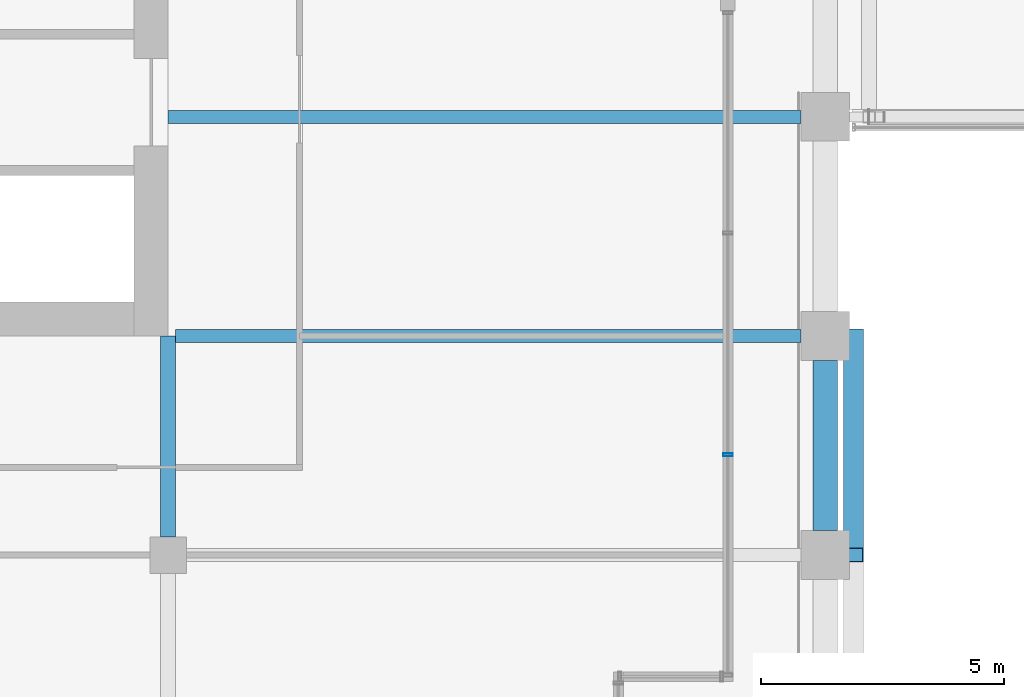
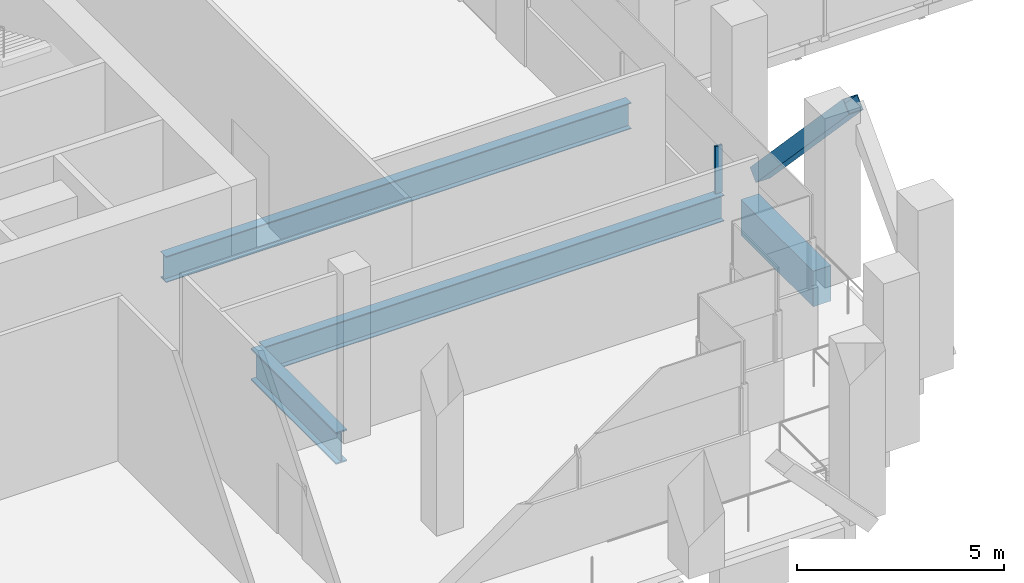
# One storey, part 9 of 48: 4 beams, 2 members, 1 element without a shape of its own.
"""IFC4 building model written with IfcOpenShell, lengths in metres."""

from ifc_helpers import new_model, si_unit, direction, frame, origin, origin_2d, place, context, subcontext, project, spatial, rectangle, hollow_rectangle, i_section, extrude, material, material_profile, profile_set, type_object, element, aggregate, save


model = new_model("IFC4")

# Units and contexts
model_context = context("Model", 3, precision=1e-05, world=origin(), true_north=direction((0.0, 1.0)))
body_context = subcontext(model_context, "Body", "Model", "MODEL_VIEW")
ifc_project = project(units=[si_unit("LENGTHUNIT", "METRE"), si_unit("AREAUNIT", "SQUARE_METRE"), si_unit("VOLUMEUNIT", "CUBIC_METRE"), si_unit("PLANEANGLEUNIT", "RADIAN"), si_unit("MASSUNIT", "GRAM", prefix="KILO")], contexts=[model_context])

# Site, building, storey
site_placement = place(None, origin())
site = spatial("IfcSite", under=ifc_project, at=site_placement, CompositionType="ELEMENT")
building_placement = place(site_placement, origin())
building = spatial("IfcBuilding", under=site, at=building_placement, Name="Altepetl Exchange Towers", CompositionType="ELEMENT")
storey_placement = place(building_placement, frame((0.0, 0.0, 138.800048828125)))
storey = spatial("IfcBuildingStorey", under=building, at=storey_placement, Name="L34 Refuge and sky lobby", CompositionType="ELEMENT", Elevation=138.800048828125)

# Member
ifc_material_1 = material(Name="Steel S355", Category="steel")
ifc_material_profile_1 = material_profile(ifc_material_1, hollow_rectangle(XDim=0.406005859375, YDim=0.406005859375, WallThickness=0.014892578125, at=origin_2d()), Name="HSS406X406X15.9")
ifc_profile_set_1 = profile_set([ifc_material_profile_1], Name="Steel S355")
member_type_1 = type_object("IfcMemberType", Name="Belt diagonal HSS406X406X15.9", PredefinedType="BRACE", material=ifc_profile_set_1)
member_1_placement = place(storey_placement, frame((72.580078125, 36.0, 4.75), z_axis=(0.0, 0.687744647911, -0.725952683906), x_axis=(-1.0, 0.0, 0.0)))
element("IfcMember", 1, at=member_1_placement, inside=storey, type_object=member_type_1, Name="brc:A:L34:009", PredefinedType="BRACE", context=body_context, shape_type="SweptSolid", body=[
    extrude(hollow_rectangle(XDim=0.406005859375, YDim=0.406005859375, WallThickness=0.014892578125, at=origin_2d()), origin(), (0.0, 0.0, 1.0), 6.543212890625),
])

# Beams
ifc_material_profile_2 = material_profile(ifc_material_1, i_section(OverallWidth=0.26806640625, OverallDepth=0.77392578125, WebThickness=0.015380859375, FlangeThickness=0.025390625, at=origin_2d()), Name="W30X132")
ifc_profile_set_2 = profile_set([ifc_material_profile_2], Name="Steel S355")
beam_type_1 = type_object("IfcBeamType", Name="Floor beam W30X132", PredefinedType="BEAM", material=ifc_profile_set_2)
beam_1_placement = place(storey_placement, frame((58.654052734375, 40.5, -0.587158203125), z_axis=(1.0, 0.0, 0.0), x_axis=(0.0, 1.0, 0.0)))
element("IfcBeam", 2, at=beam_1_placement, inside=storey, type_object=beam_type_1, Name="bm:A:L34:008", PredefinedType="BEAM", context=body_context, shape_type="SweptSolid", body=[
    extrude(i_section(OverallWidth=0.26806640625, OverallDepth=0.77392578125, WebThickness=0.015380859375, FlangeThickness=0.025390625, at=origin_2d()), origin(), (0.0, 0.0, 1.0), 12.845947265625),
])
beam_2_placement = place(storey_placement, frame((58.5, 45.0, -0.587158203125), z_axis=(1.0, 0.0, 0.0), x_axis=(0.0, 1.0, 0.0)))
element("IfcBeam", 3, at=beam_2_placement, inside=storey, type_object=beam_type_1, Name="bm:A:L34:009", PredefinedType="BEAM", context=body_context, shape_type="SweptSolid", body=[
    extrude(i_section(OverallWidth=0.26806640625, OverallDepth=0.77392578125, WebThickness=0.015380859375, FlangeThickness=0.025390625, at=origin_2d()), origin(), (0.0, 0.0, 1.0), 13.0),
])
ifc_material_profile_3 = material_profile(ifc_material_1, i_section(OverallWidth=0.30810546875, OverallDepth=0.943115234375, WebThickness=0.022216796875, FlangeThickness=0.039794921875, at=origin_2d()), Name="W36X232")
ifc_profile_set_3 = profile_set([ifc_material_profile_3], Name="Steel S355")
beam_type_2 = type_object("IfcBeamType", Name="Girder W36X232", PredefinedType="BEAM", material=ifc_profile_set_3)
beam_3_placement = place(storey_placement, frame((58.5, 40.5, -0.671630859375), z_axis=(0.0, -1.0, 0.0), x_axis=(1.0, 0.0, 0.0)))
element("IfcBeam", 4, at=beam_3_placement, inside=storey, type_object=beam_type_2, Name="gd:A:L34:003", PredefinedType="BEAM", context=body_context, shape_type="SweptSolid", body=[
    extrude(i_section(OverallWidth=0.30810546875, OverallDepth=0.943115234375, WebThickness=0.022216796875, FlangeThickness=0.039794921875, at=origin_2d()), origin(), (0.0, 0.0, 1.0), 4.125),
])

# Curtain wall, member
ifc_material_2 = material(Name="Aluminium 6063-T6 glazing", Category="aluminium")
curtain_wall_type = type_object("IfcCurtainWallType", Name="Refuge slit glazing system", PredefinedType="NOTDEFINED", material=ifc_material_2)
curtain_wall_placement = place(storey_placement, origin())
curtain_wall = element("IfcCurtainWall", 5, at=curtain_wall_placement, inside=storey, type_object=curtain_wall_type, Name="CW3 run", PredefinedType="NOTDEFINED")
ifc_material_3 = material(Name="Aluminium 6063-T6", Category="aluminium")
ifc_material_profile_4 = material_profile(ifc_material_3, hollow_rectangle(XDim=0.06005859375, YDim=0.199951171875, WallThickness=0.0029296875, at=origin_2d()), Name="Mullion 60x200 aluminium")
ifc_profile_set_4 = profile_set([ifc_material_profile_4], Name="Aluminium 6063-T6")
member_type_2 = type_object("IfcMemberType", Name="Mullion 60x200 aluminium", PredefinedType="MULLION", material=ifc_profile_set_4)
member_2_placement = place(storey_placement, frame((70.0, 38.05712890625, 1.800048828125), z_axis=(0.0, 0.0, 1.0), x_axis=(0.0, 1.0, 0.0)))
member_2 = element("IfcMember", 6, at=member_2_placement, type_object=member_type_2, Name="MU2 mullion", PredefinedType="MULLION", context=body_context, shape_type="SweptSolid", body=[
    extrude(hollow_rectangle(XDim=0.06005859375, YDim=0.199951171875, WallThickness=0.0029296875, at=origin_2d()), origin(), (0.0, 0.0, 1.0), 1.39990234375),
])
aggregate(curtain_wall, [member_2])

# Beam
ifc_material_4 = material(Name="Concrete C50/60 precast with cantera amarilla facing", Category="concrete")
ifc_material_profile_5 = material_profile(ifc_material_4, rectangle(XDim=0.5, YDim=1.050048828125, at=origin_2d()), Name="500 x 1050")
ifc_profile_set_5 = profile_set([ifc_material_profile_5], Name="Concrete C50/60 precast with cantera amarilla facing")
beam_type_3 = type_object("IfcBeamType", Name="Spandrel beam 500x1050 cantera amarilla", PredefinedType="SPANDREL", material=ifc_profile_set_5)
beam_4_placement = place(storey_placement, frame((72.0, 36.5, -0.72509765625), z_axis=(0.0, 1.0, 0.0), x_axis=(-1.0, 0.0, 0.0)))
element("IfcBeam", 7, at=beam_4_placement, inside=storey, type_object=beam_type_3, Name="sp:A:L34:013", PredefinedType="SPANDREL", context=body_context, shape_type="SweptSolid", body=[
    extrude(rectangle(XDim=0.5, YDim=1.050048828125, at=origin_2d()), origin(), (0.0, 0.0, 1.0), 3.5),
])

save(model, "model.ifc")
